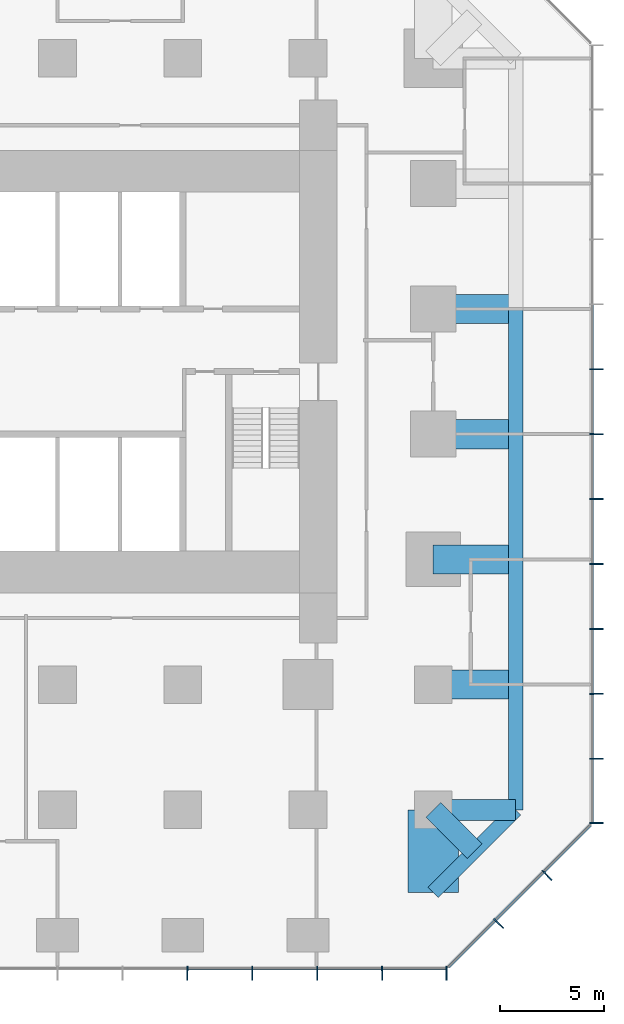
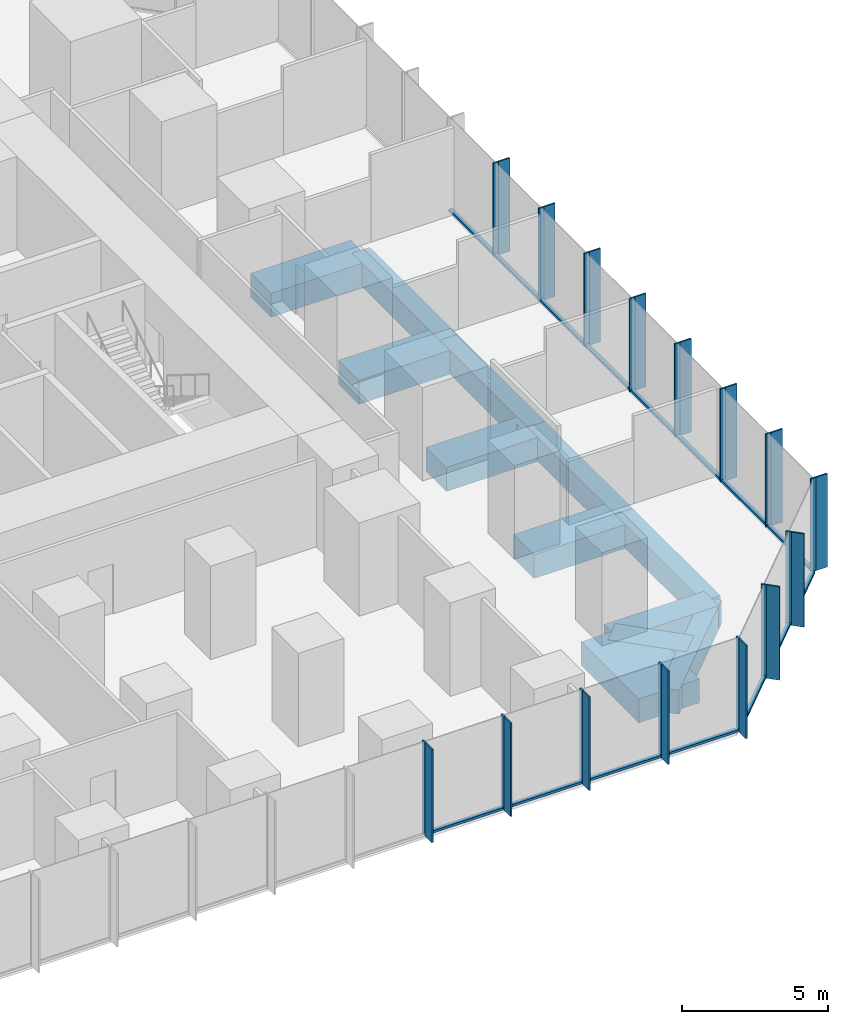
# One storey, part 4 of 12: 45 members, 12 beams, 3 elements without a shape of their own.
"""IFC4 building model written with IfcOpenShell, lengths in metres."""

import ifcopenshell
import ifcopenshell.guid

model = None  # the IFC model being written
_history = None  # IfcOwnerHistory: only IFC2X3 demands one
_inside = {}  # id of a spatial element -> (the spatial element, [elements in it])
_under = {}  # id of a project, library or spatial element -> (it, [spatial elements below it])
_declared = {}  # id of a project -> (the project, [libraries it declares])
_typed = {}  # id of a type object -> (the type object, [elements of that type])
_made_of = {}  # id of a material, layer set ... -> (it, [elements and type objects made of it])


def new_model(schema):
    """Start an empty IFC model of exactly this schema.

    Asked for "IFC4X3", IfcOpenShell would pick the latest addendum, in which some entities
    have other attributes; the version numbers below select the first issue.
    IFC2X3 requires an IfcOwnerHistory on every rooted entity: one is made here for all.
    """
    global model, _history
    if schema == "IFC4X3":
        model = ifcopenshell.file(schema_version=(4, 3, 0, 0))
    else:
        model = ifcopenshell.file(schema=schema)
    _inside.clear()
    _under.clear()
    _declared.clear()
    _typed.clear()
    _made_of.clear()
    _history = None
    if model.schema == "IFC2X3":
        org = make("IfcOrganization", Name="unknown")
        user = make(
            "IfcPersonAndOrganization",
            ThePerson=make("IfcPerson", FamilyName="unknown"),
            TheOrganization=org,
        )
        app = make(
            "IfcApplication",
            ApplicationDeveloper=org,
            Version="unknown",
            ApplicationFullName="unknown",
            ApplicationIdentifier="unknown",
        )
        _history = make(
            "IfcOwnerHistory",
            OwningUser=user,
            OwningApplication=app,
            ChangeAction="ADDED",
            CreationDate=0,
        )
    return model


def make(cls, **values):
    """One entity of the class cls with the attributes given. An attribute that is None is left unset."""
    return model.create_entity(
        cls, **{name: value for name, value in values.items() if value is not None}
    )


def rooted(cls, **values):
    """An entity with a GlobalId (a new one), such as an element, a storey or a relation."""
    return make(cls, GlobalId=ifcopenshell.guid.new(), OwnerHistory=_history, **values)


def si_unit(unit_type, name, prefix=None):
    """IfcSIUnit, for example si_unit("LENGTHUNIT", "METRE", prefix="MILLI")."""
    return make("IfcSIUnit", UnitType=unit_type, Prefix=prefix, Name=name)


def assignment(units):
    """IfcUnitAssignment: the units of a project."""
    return None if units is None else make("IfcUnitAssignment", Units=units)


def point(xyz):
    """IfcCartesianPoint."""
    return None if xyz is None else make("IfcCartesianPoint", Coordinates=xyz)


def direction(xyz):
    """IfcDirection."""
    return None if xyz is None else make("IfcDirection", DirectionRatios=xyz)


def frame(location, z_axis=None, x_axis=None):
    """IfcAxis2Placement3D, a coordinate frame: its origin and axes. An axis left out is left unset."""
    return make(
        "IfcAxis2Placement3D",
        Location=point(location),
        Axis=direction(z_axis),
        RefDirection=direction(x_axis),
    )


def frame_2d(location, x_axis=None):
    """IfcAxis2Placement2D, a coordinate frame in the plane: its origin and x axis."""
    return make(
        "IfcAxis2Placement2D", Location=point(location), RefDirection=direction(x_axis)
    )


def origin():
    """The frame at (0, 0, 0) with its axes left unset."""
    return frame((0.0, 0.0, 0.0))


def origin_2d():
    """The frame at (0, 0) in the plane with its x axis left unset."""
    return frame_2d((0.0, 0.0))


def place(relative_to, where):
    """IfcLocalPlacement: puts the frame where relative to a parent placement (None: the world)."""
    return make(
        "IfcLocalPlacement", PlacementRelTo=relative_to, RelativePlacement=where
    )


def context(
    kind, dimensions, precision=None, world=None, true_north=None, identifier=None
):
    """IfcGeometricRepresentationContext, for example the 3D "Model" context."""
    return make(
        "IfcGeometricRepresentationContext",
        ContextIdentifier=identifier,
        ContextType=kind,
        CoordinateSpaceDimension=dimensions,
        Precision=precision,
        WorldCoordinateSystem=world,
        TrueNorth=true_north,
    )


def subcontext(parent, identifier, kind, view, scale=None):
    """IfcGeometricRepresentationSubContext, for example "Body" below "Model"."""
    return make(
        "IfcGeometricRepresentationSubContext",
        ContextIdentifier=identifier,
        ContextType=kind,
        ParentContext=parent,
        TargetScale=scale,
        TargetView=view,
    )


def project(units=None, contexts=None):
    """IfcProject with its units and contexts."""
    return rooted(
        "IfcProject",
        Name="project",
        RepresentationContexts=contexts,
        UnitsInContext=assignment(units),
    )


def spatial(cls, under=None, at=None, **own):
    """A site, building, storey or space (cls), placed at a placement, below another one or the project."""
    s = rooted(cls, ObjectPlacement=at, **own)
    if under is not None:
        _under.setdefault(under.id(), (under, []))[1].append(s)
    return s


def profile(cls, at=None, kind="AREA", **sizes):
    """A parametric profile (cls). Its sizes go by their IFC names, for example OverallWidth=200.0."""
    return make(cls, ProfileType=kind, Position=at, **sizes)


def rectangle(**sizes):
    """IfcRectangleProfileDef."""
    return profile("IfcRectangleProfileDef", **sizes)


def extrude(swept, where, along, depth):
    """IfcExtrudedAreaSolid: the profile swept, set in the frame where, extruded along a direction by depth."""
    return make(
        "IfcExtrudedAreaSolid",
        SweptArea=swept,
        Position=where,
        ExtrudedDirection=direction(along),
        Depth=depth,
    )


def shape(context_of_items, identifier, shape_type, items):
    """IfcShapeRepresentation: the items that make up one representation, for example the "Body"."""
    return make(
        "IfcShapeRepresentation",
        ContextOfItems=context_of_items,
        RepresentationIdentifier=identifier,
        RepresentationType=shape_type,
        Items=items,
    )


def material(Name=None, Category=None):
    """IfcMaterial."""
    return make("IfcMaterial", Name=Name, Category=Category)


def layer(
    of_material, thickness, ventilated=None, Name=None, Category=None, Priority=None
):
    """IfcMaterialLayer: one layer of a wall or slab, of a material (None: an air gap)."""
    return make(
        "IfcMaterialLayer",
        Material=of_material,
        LayerThickness=thickness,
        IsVentilated=ventilated,
        Name=Name,
        Category=Category,
        Priority=Priority,
    )


def layer_set(layers, Name=None):
    """IfcMaterialLayerSet."""
    return make("IfcMaterialLayerSet", MaterialLayers=layers, LayerSetName=Name)


def material_profile(
    of_material, cross_section, Name=None, Category=None, Priority=None
):
    """IfcMaterialProfile: a cross section and its material."""
    return make(
        "IfcMaterialProfile",
        Name=Name,
        Material=of_material,
        Profile=cross_section,
        Priority=Priority,
        Category=Category,
    )


def profile_set(profiles, Name=None, composite=None):
    """IfcMaterialProfileSet."""
    return make(
        "IfcMaterialProfileSet",
        Name=Name,
        MaterialProfiles=profiles,
        CompositeProfile=composite,
    )


def made_of(thing, what):
    """Note that an element or type object is made of a material, layer set ...; save() writes the relation."""
    if what is not None:
        _made_of.setdefault(what.id(), (what, []))[1].append(thing)
    return thing


def type_object(cls, material=None, **own):
    """A type object (cls), such as IfcWallType, which elements share."""
    return made_of(rooted(cls, **own), material)


def element(
    cls,
    number,
    at=None,
    inside=None,
    cuts=None,
    type_object=None,
    material=None,
    context=None,
    identifier="Body",
    shape_type=None,
    held_by="IfcProductDefinitionShape",
    body=None,
    shapes=None,
    **own,
):
    """One element of the class cls, such as IfcWall. Its Tag is "e" and its number.

    at: its placement. inside: the storey or other place that contains it. cuts: it is an
    opening in that element (IfcRelVoidsElement). A single representation is given by context,
    identifier, shape_type and body (its items); several are given by shapes. held_by: the class
    of the entity that holds the representations. save() writes the other relations.
    """
    e = rooted(cls, Tag="e%d" % number, ObjectPlacement=at, **own)
    if body is not None:
        shapes = [shape(context, identifier, shape_type, body)]
    if shapes is not None:
        e.Representation = make(held_by, Representations=shapes)
    if inside is not None:
        _inside.setdefault(inside.id(), (inside, []))[1].append(e)
    if cuts is not None:
        rooted(
            "IfcRelVoidsElement", RelatingBuildingElement=cuts, RelatedOpeningElement=e
        )
    if type_object is not None:
        _typed.setdefault(type_object.id(), (type_object, []))[1].append(e)
    return made_of(e, material)


def aggregate(whole, parts):
    """IfcRelAggregates: a whole, such as a stair, and the parts it consists of."""
    return rooted("IfcRelAggregates", RelatingObject=whole, RelatedObjects=parts)


def save(model, path):
    """Write the relations noted so far, then the file.

    IfcRelAggregates (storeys below a building ...), IfcRelContainedInSpatialStructure (elements
    in a storey), IfcRelDefinesByType, IfcRelAssociatesMaterial and IfcRelDeclares: one each for
    every whole, place, type object, material and project.
    """
    for whole, parts in _under.values():
        aggregate(whole, parts)
    for where, things in _inside.values():
        rooted(
            "IfcRelContainedInSpatialStructure",
            RelatedElements=things,
            RelatingStructure=where,
        )
    for kind, things in _typed.values():
        rooted("IfcRelDefinesByType", RelatedObjects=things, RelatingType=kind)
    for what, things in _made_of.values():
        rooted("IfcRelAssociatesMaterial", RelatedObjects=things, RelatingMaterial=what)
    for by, libraries in _declared.values():
        rooted("IfcRelDeclares", RelatingContext=by, RelatedDefinitions=libraries)
    model.write(path)


model = new_model("IFC4")

# Units and contexts
model_context = context("Model", 3, precision=1e-05, world=origin(), true_north=direction((0.0, 1.0)))
body_context = subcontext(model_context, "Body", "Model", "MODEL_VIEW")
ifc_project = project(units=[si_unit("LENGTHUNIT", "METRE"), si_unit("AREAUNIT", "SQUARE_METRE"), si_unit("VOLUMEUNIT", "CUBIC_METRE"), si_unit("PLANEANGLEUNIT", "RADIAN"), si_unit("MASSUNIT", "GRAM", prefix="KILO")], contexts=[model_context])

# Site, building, storey
site_placement = place(None, origin())
site = spatial("IfcSite", under=ifc_project, at=site_placement, CompositionType="ELEMENT")
building_placement = place(site_placement, origin())
building = spatial("IfcBuilding", under=site, at=building_placement, Name="Highveld Stack Headquarters", CompositionType="ELEMENT")
storey_placement = place(building_placement, frame((0.0, 0.0, 45.5)))
storey = spatial("IfcBuildingStorey", under=building, at=storey_placement, Name="L10", CompositionType="ELEMENT", Elevation=45.5)

# Beams
ifc_material_1 = material(Name="Concrete C60/75", Category="concrete")
ifc_material_profile_1 = material_profile(ifc_material_1, rectangle(XDim=1.0, YDim=1.0, at=origin_2d()), Name="RC 1000x1000")
ifc_profile_set_1 = profile_set([ifc_material_profile_1], Name="Concrete C60/75")
beam_type_1 = type_object("IfcBeamType", Name="CANTILEVER RIB RC 1000x1000", PredefinedType="USERDEFINED", material=ifc_profile_set_1)
beam_1_placement = place(storey_placement, frame((24.0, -18.0, -0.75), z_axis=(1.0, 0.0, 0.0), x_axis=(0.0, 1.0, 0.0)))
element("IfcBeam", 1, at=beam_1_placement, inside=storey, type_object=beam_type_1, Name="Cantilever rib 10/B L10", ObjectType="CANTILEVER RIB", PredefinedType="USERDEFINED", context=body_context, shape_type="SweptSolid", body=[
    extrude(rectangle(XDim=1.0, YDim=1.0, at=origin_2d()), origin(), (0.0, 0.0, 1.0), 3.949951171875),
])
beam_2_placement = place(storey_placement, frame((24.0, -18.0, -0.75), z_axis=(0.707106781187, -0.707106781187, 0.0), x_axis=(0.707106781187, 0.707106781187, 0.0)))
element("IfcBeam", 2, at=beam_2_placement, inside=storey, type_object=beam_type_1, Name="Cantilever rib 10/B L10", ObjectType="CANTILEVER RIB", PredefinedType="USERDEFINED", context=body_context, shape_type="SweptSolid", body=[
    extrude(rectangle(XDim=1.0, YDim=1.0, at=origin_2d()), origin(), (0.0, 0.0, 1.0), 2.793212890625),
])
ifc_material_2 = material(Name="Concrete C60/75", Category="concrete")
ifc_material_profile_2 = material_profile(ifc_material_2, rectangle(XDim=1.39990234375, YDim=1.0, at=origin_2d()), Name="RC 1400x1000")
ifc_profile_set_2 = profile_set([ifc_material_profile_2], Name="Concrete C60/75")
beam_type_2 = type_object("IfcBeamType", Name="CANTILEVER RIB RC 1400x1000", PredefinedType="USERDEFINED", material=ifc_profile_set_2)
for number, where, z_axis, x_axis, name in (
    (3, (24.0, -12.0, -0.75), (1.0, 0.0, 0.0), (0.0, 1.0, 0.0), "Cantilever rib 10/C L10"),
    (4, (24.0, -6.0, -0.75), (1.0, 0.0, 0.0), (0.0, 1.0, 0.0), "Cantilever rib 10/D L10"),
    (5, (24.0, 0.0, -0.75), (1.0, 0.0, 0.0), (0.0, 1.0, 0.0), "Cantilever rib 10/E L10"),
    (6, (24.0, 6.0, -0.75), (1.0, 0.0, 0.0), (0.0, 1.0, 0.0), "Cantilever rib 10/F L10"),
):
    element("IfcBeam", number, at=place(storey_placement, frame(where, z_axis=z_axis, x_axis=x_axis)), inside=storey, type_object=beam_type_2, Name=name, ObjectType="CANTILEVER RIB", PredefinedType="USERDEFINED", context=body_context, shape_type="SweptSolid", body=[
        extrude(rectangle(XDim=1.39990234375, YDim=1.0, at=origin_2d()), origin(), (0.0, 0.0, 1.0), 3.949951171875),
    ])
ifc_material_3 = material(Name="Concrete C60/75", Category="concrete")
ifc_material_profile_3 = material_profile(ifc_material_3, rectangle(XDim=2.39990234375, YDim=1.0, at=origin_2d()), Name="RC 2400x1000")
ifc_profile_set_3 = profile_set([ifc_material_profile_3], Name="Concrete C60/75")
beam_type_3 = type_object("IfcBeamType", Name="CANTILEVER RIB RC 2400x1000", PredefinedType="USERDEFINED", material=ifc_profile_set_3)
beam_3_placement = place(storey_placement, frame((24.0, -18.0, -0.75), z_axis=(0.0, -1.0, 0.0), x_axis=(1.0, 0.0, 0.0)))
element("IfcBeam", 7, at=beam_3_placement, inside=storey, type_object=beam_type_3, Name="Cantilever rib 10/B L10", ObjectType="CANTILEVER RIB", PredefinedType="USERDEFINED", context=body_context, shape_type="SweptSolid", body=[
    extrude(rectangle(XDim=2.39990234375, YDim=1.0, at=origin_2d()), origin(), (0.0, 0.0, 1.0), 3.949951171875),
])

# Curtain wall, members
ifc_material_4 = material(Name="Aluminium bronze anodised", Category="aluminium")
ifc_layer_1 = layer(ifc_material_4, 0.199951171875)
ifc_layer_set_1 = layer_set([ifc_layer_1], Name="Aluminium bronze anodised")
curtain_wall_type_1 = type_object("IfcCurtainWallType", Name="CW1 TOWER UNITISED CURTAIN WALL", PredefinedType="NOTDEFINED", material=ifc_layer_set_1)
curtain_wall_1_placement = place(storey_placement, origin())
curtain_wall_1 = element("IfcCurtainWall", 8, at=curtain_wall_1_placement, inside=storey, type_object=curtain_wall_type_1, Name="Curtain wall CW1 L10 S", PredefinedType="NOTDEFINED")
ifc_material_5 = material(Name="Aluminium bronze anodised", Category="aluminium")
ifc_material_profile_4 = material_profile(ifc_material_5, rectangle(XDim=0.449951171875, YDim=0.06005859375, at=origin_2d()), Name="FIN 450x60")
ifc_profile_set_4 = profile_set([ifc_material_profile_4], Name="Aluminium bronze anodised")
member_type_1 = type_object("IfcMemberType", Name="CW1 BRONZE FIN 450x60", PredefinedType="USERDEFINED", material=ifc_profile_set_4)
member_1_placement = place(storey_placement, frame((12.220947265625, -25.925048828125, 0.0), z_axis=(0.0, 0.0, 1.0), x_axis=(0.0, 1.0, 0.0)))
member_1 = element("IfcMember", 9, at=member_1_placement, type_object=member_type_1, Name="CW1 fin L10 9", ObjectType="FIN", PredefinedType="USERDEFINED", context=body_context, shape_type="SweptSolid", body=[
    extrude(rectangle(XDim=0.449951171875, YDim=0.06005859375, at=origin_2d()), origin(), (0.0, 0.0, 1.0), 3.89990234375),
])
member_2_placement = place(storey_placement, frame((15.331298828125, -25.925048828125, 0.0), z_axis=(0.0, 0.0, 1.0), x_axis=(0.0, 1.0, 0.0)))
member_2 = element("IfcMember", 10, at=member_2_placement, type_object=member_type_1, Name="CW1 fin L10 10", ObjectType="FIN", PredefinedType="USERDEFINED", context=body_context, shape_type="SweptSolid", body=[
    extrude(rectangle(XDim=0.449951171875, YDim=0.06005859375, at=origin_2d()), origin(), (0.0, 0.0, 1.0), 3.89990234375),
])
member_3_placement = place(storey_placement, frame((18.44189453125, -25.925048828125, 0.0), z_axis=(0.0, 0.0, 1.0), x_axis=(0.0, 1.0, 0.0)))
member_3 = element("IfcMember", 11, at=member_3_placement, type_object=member_type_1, Name="CW1 fin L10 11", ObjectType="FIN", PredefinedType="USERDEFINED", context=body_context, shape_type="SweptSolid", body=[
    extrude(rectangle(XDim=0.449951171875, YDim=0.06005859375, at=origin_2d()), origin(), (0.0, 0.0, 1.0), 3.89990234375),
])
member_4_placement = place(storey_placement, frame((21.55224609375, -25.925048828125, 0.0), z_axis=(0.0, 0.0, 1.0), x_axis=(0.0, 1.0, 0.0)))
member_4 = element("IfcMember", 12, at=member_4_placement, type_object=member_type_1, Name="CW1 fin L10 12", ObjectType="FIN", PredefinedType="USERDEFINED", context=body_context, shape_type="SweptSolid", body=[
    extrude(rectangle(XDim=0.449951171875, YDim=0.06005859375, at=origin_2d()), origin(), (0.0, 0.0, 1.0), 3.89990234375),
])
member_5_placement = place(storey_placement, frame((24.630126953125, -25.925048828125, 0.0), z_axis=(0.0, 0.0, 1.0), x_axis=(0.0, 1.0, 0.0)))
member_5 = element("IfcMember", 13, at=member_5_placement, type_object=member_type_1, Name="CW1 fin L10 13", ObjectType="FIN", PredefinedType="USERDEFINED", context=body_context, shape_type="SweptSolid", body=[
    extrude(rectangle(XDim=0.449951171875, YDim=0.06005859375, at=origin_2d()), origin(), (0.0, 0.0, 1.0), 3.89990234375),
])

curtain_wall_2_placement = place(storey_placement, origin())
curtain_wall_2 = element("IfcCurtainWall", 14, at=curtain_wall_2_placement, inside=storey, type_object=curtain_wall_type_1, Name="Curtain wall CW1 L10 E", PredefinedType="NOTDEFINED")
member_6_placement = place(storey_placement, frame((31.925048828125, -18.630126953125, 0.0), z_axis=(0.0, 0.0, 1.0), x_axis=(-1.0, 0.0, 0.0)))
member_6 = element("IfcMember", 15, at=member_6_placement, type_object=member_type_1, Name="CW1 fin L10 1", ObjectType="FIN", PredefinedType="USERDEFINED", context=body_context, shape_type="SweptSolid", body=[
    extrude(rectangle(XDim=0.449951171875, YDim=0.06005859375, at=origin_2d()), origin(), (0.0, 0.0, 1.0), 3.89990234375),
])
member_7_placement = place(storey_placement, frame((31.925048828125, -15.55224609375, 0.0), z_axis=(0.0, 0.0, 1.0), x_axis=(-1.0, 0.0, 0.0)))
member_7 = element("IfcMember", 16, at=member_7_placement, type_object=member_type_1, Name="CW1 fin L10 2", ObjectType="FIN", PredefinedType="USERDEFINED", context=body_context, shape_type="SweptSolid", body=[
    extrude(rectangle(XDim=0.449951171875, YDim=0.06005859375, at=origin_2d()), origin(), (0.0, 0.0, 1.0), 3.89990234375),
])
member_8_placement = place(storey_placement, frame((31.925048828125, -12.44189453125, 0.0), z_axis=(0.0, 0.0, 1.0), x_axis=(-1.0, 0.0, 0.0)))
member_8 = element("IfcMember", 17, at=member_8_placement, type_object=member_type_1, Name="CW1 fin L10 3", ObjectType="FIN", PredefinedType="USERDEFINED", context=body_context, shape_type="SweptSolid", body=[
    extrude(rectangle(XDim=0.449951171875, YDim=0.06005859375, at=origin_2d()), origin(), (0.0, 0.0, 1.0), 3.89990234375),
])
member_9_placement = place(storey_placement, frame((31.925048828125, -9.331298828125, 0.0), z_axis=(0.0, 0.0, 1.0), x_axis=(-1.0, 0.0, 0.0)))
member_9 = element("IfcMember", 18, at=member_9_placement, type_object=member_type_1, Name="CW1 fin L10 4", ObjectType="FIN", PredefinedType="USERDEFINED", context=body_context, shape_type="SweptSolid", body=[
    extrude(rectangle(XDim=0.449951171875, YDim=0.06005859375, at=origin_2d()), origin(), (0.0, 0.0, 1.0), 3.89990234375),
])
member_10_placement = place(storey_placement, frame((31.925048828125, -6.220947265625, 0.0), z_axis=(0.0, 0.0, 1.0), x_axis=(-1.0, 0.0, 0.0)))
member_10 = element("IfcMember", 19, at=member_10_placement, type_object=member_type_1, Name="CW1 fin L10 5", ObjectType="FIN", PredefinedType="USERDEFINED", context=body_context, shape_type="SweptSolid", body=[
    extrude(rectangle(XDim=0.449951171875, YDim=0.06005859375, at=origin_2d()), origin(), (0.0, 0.0, 1.0), 3.89990234375),
])
member_11_placement = place(storey_placement, frame((31.925048828125, -3.110595703125, 0.0), z_axis=(0.0, 0.0, 1.0), x_axis=(-1.0, 0.0, 0.0)))
member_11 = element("IfcMember", 20, at=member_11_placement, type_object=member_type_1, Name="CW1 fin L10 6", ObjectType="FIN", PredefinedType="USERDEFINED", context=body_context, shape_type="SweptSolid", body=[
    extrude(rectangle(XDim=0.449951171875, YDim=0.06005859375, at=origin_2d()), origin(), (0.0, 0.0, 1.0), 3.89990234375),
])
member_12_placement = place(storey_placement, frame((31.925048828125, 0.0, 0.0), z_axis=(0.0, 0.0, 1.0), x_axis=(-1.0, 0.0, 0.0)))
member_12 = element("IfcMember", 21, at=member_12_placement, type_object=member_type_1, Name="CW1 fin L10 7", ObjectType="FIN", PredefinedType="USERDEFINED", context=body_context, shape_type="SweptSolid", body=[
    extrude(rectangle(XDim=0.449951171875, YDim=0.06005859375, at=origin_2d()), origin(), (0.0, 0.0, 1.0), 3.89990234375),
])
member_13_placement = place(storey_placement, frame((31.925048828125, 3.110595703125, 0.0), z_axis=(0.0, 0.0, 1.0), x_axis=(-1.0, 0.0, 0.0)))
member_13 = element("IfcMember", 22, at=member_13_placement, type_object=member_type_1, Name="CW1 fin L10 8", ObjectType="FIN", PredefinedType="USERDEFINED", context=body_context, shape_type="SweptSolid", body=[
    extrude(rectangle(XDim=0.449951171875, YDim=0.06005859375, at=origin_2d()), origin(), (0.0, 0.0, 1.0), 3.89990234375),
])

# Member
ifc_material_6 = material(Name="Aluminium bronze anodised", Category="aluminium")
ifc_material_profile_5 = material_profile(ifc_material_6, rectangle(XDim=0.199951171875, YDim=0.06494140625, at=origin_2d()), Name="CW1 MULLION 65x200")
ifc_profile_set_5 = profile_set([ifc_material_profile_5], Name="Aluminium bronze anodised")
member_type_2 = type_object("IfcMemberType", Name="CW1 MULLION 65x200", PredefinedType="MULLION", material=ifc_profile_set_5)
member_14_placement = place(storey_placement, frame((12.220947265625, -25.60009765625, 0.0), z_axis=(0.0, 0.0, 1.0), x_axis=(0.0, 1.0, 0.0)))
member_14 = element("IfcMember", 23, at=member_14_placement, type_object=member_type_2, Name="CW1 mullion L10 9", PredefinedType="MULLION", context=body_context, shape_type="SweptSolid", body=[
    extrude(rectangle(XDim=0.199951171875, YDim=0.06494140625, at=origin_2d()), origin(), (0.0, 0.0, 1.0), 3.89990234375),
])

member_15_placement = place(storey_placement, frame((15.331298828125, -25.60009765625, 0.0), z_axis=(0.0, 0.0, 1.0), x_axis=(0.0, 1.0, 0.0)))
member_15 = element("IfcMember", 24, at=member_15_placement, type_object=member_type_2, Name="CW1 mullion L10 10", PredefinedType="MULLION", context=body_context, shape_type="SweptSolid", body=[
    extrude(rectangle(XDim=0.199951171875, YDim=0.06494140625, at=origin_2d()), origin(), (0.0, 0.0, 1.0), 3.89990234375),
])

member_16_placement = place(storey_placement, frame((18.44189453125, -25.60009765625, 0.0), z_axis=(0.0, 0.0, 1.0), x_axis=(0.0, 1.0, 0.0)))
member_16 = element("IfcMember", 25, at=member_16_placement, type_object=member_type_2, Name="CW1 mullion L10 11", PredefinedType="MULLION", context=body_context, shape_type="SweptSolid", body=[
    extrude(rectangle(XDim=0.199951171875, YDim=0.06494140625, at=origin_2d()), origin(), (0.0, 0.0, 1.0), 3.89990234375),
])

member_17_placement = place(storey_placement, frame((21.55224609375, -25.60009765625, 0.0), z_axis=(0.0, 0.0, 1.0), x_axis=(0.0, 1.0, 0.0)))
member_17 = element("IfcMember", 26, at=member_17_placement, type_object=member_type_2, Name="CW1 mullion L10 12", PredefinedType="MULLION", context=body_context, shape_type="SweptSolid", body=[
    extrude(rectangle(XDim=0.199951171875, YDim=0.06494140625, at=origin_2d()), origin(), (0.0, 0.0, 1.0), 3.89990234375),
])

member_18_placement = place(storey_placement, frame((24.630126953125, -25.60009765625, 0.0), z_axis=(0.0, 0.0, 1.0), x_axis=(0.0, 1.0, 0.0)))
member_18 = element("IfcMember", 27, at=member_18_placement, type_object=member_type_2, Name="CW1 mullion L10 13", PredefinedType="MULLION", context=body_context, shape_type="SweptSolid", body=[
    extrude(rectangle(XDim=0.199951171875, YDim=0.06494140625, at=origin_2d()), origin(), (0.0, 0.0, 1.0), 3.89990234375),
])

member_19_placement = place(storey_placement, frame((31.60009765625, -18.630126953125, 0.0), z_axis=(0.0, 0.0, 1.0), x_axis=(-1.0, 0.0, 0.0)))
member_19 = element("IfcMember", 28, at=member_19_placement, type_object=member_type_2, Name="CW1 mullion L10 1", PredefinedType="MULLION", context=body_context, shape_type="SweptSolid", body=[
    extrude(rectangle(XDim=0.199951171875, YDim=0.06494140625, at=origin_2d()), origin(), (0.0, 0.0, 1.0), 3.89990234375),
])

member_20_placement = place(storey_placement, frame((31.60009765625, -15.55224609375, 0.0), z_axis=(0.0, 0.0, 1.0), x_axis=(-1.0, 0.0, 0.0)))
member_20 = element("IfcMember", 29, at=member_20_placement, type_object=member_type_2, Name="CW1 mullion L10 2", PredefinedType="MULLION", context=body_context, shape_type="SweptSolid", body=[
    extrude(rectangle(XDim=0.199951171875, YDim=0.06494140625, at=origin_2d()), origin(), (0.0, 0.0, 1.0), 3.89990234375),
])

member_21_placement = place(storey_placement, frame((31.60009765625, -12.44189453125, 0.0), z_axis=(0.0, 0.0, 1.0), x_axis=(-1.0, 0.0, 0.0)))
member_21 = element("IfcMember", 30, at=member_21_placement, type_object=member_type_2, Name="CW1 mullion L10 3", PredefinedType="MULLION", context=body_context, shape_type="SweptSolid", body=[
    extrude(rectangle(XDim=0.199951171875, YDim=0.06494140625, at=origin_2d()), origin(), (0.0, 0.0, 1.0), 3.89990234375),
])

member_22_placement = place(storey_placement, frame((31.60009765625, -9.331298828125, 0.0), z_axis=(0.0, 0.0, 1.0), x_axis=(-1.0, 0.0, 0.0)))
member_22 = element("IfcMember", 31, at=member_22_placement, type_object=member_type_2, Name="CW1 mullion L10 4", PredefinedType="MULLION", context=body_context, shape_type="SweptSolid", body=[
    extrude(rectangle(XDim=0.199951171875, YDim=0.06494140625, at=origin_2d()), origin(), (0.0, 0.0, 1.0), 3.89990234375),
])

member_23_placement = place(storey_placement, frame((31.60009765625, -6.220947265625, 0.0), z_axis=(0.0, 0.0, 1.0), x_axis=(-1.0, 0.0, 0.0)))
member_23 = element("IfcMember", 32, at=member_23_placement, type_object=member_type_2, Name="CW1 mullion L10 5", PredefinedType="MULLION", context=body_context, shape_type="SweptSolid", body=[
    extrude(rectangle(XDim=0.199951171875, YDim=0.06494140625, at=origin_2d()), origin(), (0.0, 0.0, 1.0), 3.89990234375),
])

member_24_placement = place(storey_placement, frame((31.60009765625, -3.110595703125, 0.0), z_axis=(0.0, 0.0, 1.0), x_axis=(-1.0, 0.0, 0.0)))
member_24 = element("IfcMember", 33, at=member_24_placement, type_object=member_type_2, Name="CW1 mullion L10 6", PredefinedType="MULLION", context=body_context, shape_type="SweptSolid", body=[
    extrude(rectangle(XDim=0.199951171875, YDim=0.06494140625, at=origin_2d()), origin(), (0.0, 0.0, 1.0), 3.89990234375),
])

member_25_placement = place(storey_placement, frame((31.60009765625, 0.0, 0.0), z_axis=(0.0, 0.0, 1.0), x_axis=(-1.0, 0.0, 0.0)))
member_25 = element("IfcMember", 34, at=member_25_placement, type_object=member_type_2, Name="CW1 mullion L10 7", PredefinedType="MULLION", context=body_context, shape_type="SweptSolid", body=[
    extrude(rectangle(XDim=0.199951171875, YDim=0.06494140625, at=origin_2d()), origin(), (0.0, 0.0, 1.0), 3.89990234375),
])

member_26_placement = place(storey_placement, frame((31.60009765625, 3.110595703125, 0.0), z_axis=(0.0, 0.0, 1.0), x_axis=(-1.0, 0.0, 0.0)))
member_26 = element("IfcMember", 35, at=member_26_placement, type_object=member_type_2, Name="CW1 mullion L10 8", PredefinedType="MULLION", context=body_context, shape_type="SweptSolid", body=[
    extrude(rectangle(XDim=0.199951171875, YDim=0.06494140625, at=origin_2d()), origin(), (0.0, 0.0, 1.0), 3.89990234375),
])

ifc_material_7 = material(Name="Aluminium bronze anodised", Category="aluminium")
ifc_material_profile_6 = material_profile(ifc_material_7, rectangle(XDim=0.14990234375, YDim=0.10009765625, at=origin_2d()), Name="CW1 TRANSOM 150x100")
ifc_profile_set_6 = profile_set([ifc_material_profile_6], Name="Aluminium bronze anodised")
member_type_3 = type_object("IfcMemberType", Name="CW1 STACK TRANSOM 150x100", PredefinedType="USERDEFINED", material=ifc_profile_set_6)
member_27_placement = place(storey_placement, frame((12.25341796875, -25.60009765625, 0.050048828125), z_axis=(1.0, 0.0, 0.0), x_axis=(0.0, 1.0, 0.0)))
member_27 = element("IfcMember", 36, at=member_27_placement, type_object=member_type_3, Name="CW1 transom L10 9.1", ObjectType="TRANSOM", PredefinedType="USERDEFINED", context=body_context, shape_type="SweptSolid", body=[
    extrude(rectangle(XDim=0.14990234375, YDim=0.10009765625, at=origin_2d()), origin(), (0.0, 0.0, 1.0), 3.04541015625),
])

member_28_placement = place(storey_placement, frame((15.364013671875, -25.60009765625, 0.050048828125), z_axis=(1.0, 0.0, 0.0), x_axis=(0.0, 1.0, 0.0)))
member_28 = element("IfcMember", 37, at=member_28_placement, type_object=member_type_3, Name="CW1 transom L10 10.1", ObjectType="TRANSOM", PredefinedType="USERDEFINED", context=body_context, shape_type="SweptSolid", body=[
    extrude(rectangle(XDim=0.14990234375, YDim=0.10009765625, at=origin_2d()), origin(), (0.0, 0.0, 1.0), 3.045166015625),
])

member_29_placement = place(storey_placement, frame((18.474365234375, -25.60009765625, 0.050048828125), z_axis=(1.0, 0.0, 0.0), x_axis=(0.0, 1.0, 0.0)))
member_29 = element("IfcMember", 38, at=member_29_placement, type_object=member_type_3, Name="CW1 transom L10 11.1", ObjectType="TRANSOM", PredefinedType="USERDEFINED", context=body_context, shape_type="SweptSolid", body=[
    extrude(rectangle(XDim=0.14990234375, YDim=0.10009765625, at=origin_2d()), origin(), (0.0, 0.0, 1.0), 3.04541015625),
])

member_30_placement = place(storey_placement, frame((21.584716796875, -25.60009765625, 0.050048828125), z_axis=(1.0, 0.0, 0.0), x_axis=(0.0, 1.0, 0.0)))
member_30 = element("IfcMember", 39, at=member_30_placement, type_object=member_type_3, Name="CW1 transom L10 12.1", ObjectType="TRANSOM", PredefinedType="USERDEFINED", context=body_context, shape_type="SweptSolid", body=[
    extrude(rectangle(XDim=0.14990234375, YDim=0.10009765625, at=origin_2d()), origin(), (0.0, 0.0, 1.0), 3.012939453125),
])

aggregate(curtain_wall_1, [member_14, member_1, member_15, member_2, member_16, member_3, member_17, member_4, member_18, member_5, member_27, member_28, member_29, member_30])

member_31_placement = place(storey_placement, frame((31.60009765625, -18.59765625, 0.050048828125), z_axis=(0.0, 1.0, 0.0), x_axis=(-1.0, 0.0, 0.0)))
member_31 = element("IfcMember", 40, at=member_31_placement, type_object=member_type_3, Name="CW1 transom L10 1.1", ObjectType="TRANSOM", PredefinedType="USERDEFINED", context=body_context, shape_type="SweptSolid", body=[
    extrude(rectangle(XDim=0.14990234375, YDim=0.10009765625, at=origin_2d()), origin(), (0.0, 0.0, 1.0), 3.012939453125),
])

member_32_placement = place(storey_placement, frame((31.60009765625, -15.519775390625, 0.050048828125), z_axis=(0.0, 1.0, 0.0), x_axis=(-1.0, 0.0, 0.0)))
member_32 = element("IfcMember", 41, at=member_32_placement, type_object=member_type_3, Name="CW1 transom L10 2.1", ObjectType="TRANSOM", PredefinedType="USERDEFINED", context=body_context, shape_type="SweptSolid", body=[
    extrude(rectangle(XDim=0.14990234375, YDim=0.10009765625, at=origin_2d()), origin(), (0.0, 0.0, 1.0), 3.04541015625),
])

member_33_placement = place(storey_placement, frame((31.60009765625, -12.4091796875, 0.050048828125), z_axis=(0.0, 1.0, 0.0), x_axis=(-1.0, 0.0, 0.0)))
member_33 = element("IfcMember", 42, at=member_33_placement, type_object=member_type_3, Name="CW1 transom L10 3.1", ObjectType="TRANSOM", PredefinedType="USERDEFINED", context=body_context, shape_type="SweptSolid", body=[
    extrude(rectangle(XDim=0.14990234375, YDim=0.10009765625, at=origin_2d()), origin(), (0.0, 0.0, 1.0), 3.045166015625),
])

member_34_placement = place(storey_placement, frame((31.60009765625, -9.298828125, 0.050048828125), z_axis=(0.0, 1.0, 0.0), x_axis=(-1.0, 0.0, 0.0)))
member_34 = element("IfcMember", 43, at=member_34_placement, type_object=member_type_3, Name="CW1 transom L10 4.1", ObjectType="TRANSOM", PredefinedType="USERDEFINED", context=body_context, shape_type="SweptSolid", body=[
    extrude(rectangle(XDim=0.14990234375, YDim=0.10009765625, at=origin_2d()), origin(), (0.0, 0.0, 1.0), 3.04541015625),
])

member_35_placement = place(storey_placement, frame((31.60009765625, -6.1884765625, 0.050048828125), z_axis=(0.0, 1.0, 0.0), x_axis=(-1.0, 0.0, 0.0)))
member_35 = element("IfcMember", 44, at=member_35_placement, type_object=member_type_3, Name="CW1 transom L10 5.1", ObjectType="TRANSOM", PredefinedType="USERDEFINED", context=body_context, shape_type="SweptSolid", body=[
    extrude(rectangle(XDim=0.14990234375, YDim=0.10009765625, at=origin_2d()), origin(), (0.0, 0.0, 1.0), 3.04541015625),
])

member_36_placement = place(storey_placement, frame((31.60009765625, -3.077880859375, 0.050048828125), z_axis=(0.0, 1.0, 0.0), x_axis=(-1.0, 0.0, 0.0)))
member_36 = element("IfcMember", 45, at=member_36_placement, type_object=member_type_3, Name="CW1 transom L10 6.1", ObjectType="TRANSOM", PredefinedType="USERDEFINED", context=body_context, shape_type="SweptSolid", body=[
    extrude(rectangle(XDim=0.14990234375, YDim=0.10009765625, at=origin_2d()), origin(), (0.0, 0.0, 1.0), 3.04541015625),
])

member_37_placement = place(storey_placement, frame((31.60009765625, 0.032470703125, 0.050048828125), z_axis=(0.0, 1.0, 0.0), x_axis=(-1.0, 0.0, 0.0)))
member_37 = element("IfcMember", 46, at=member_37_placement, type_object=member_type_3, Name="CW1 transom L10 7.1", ObjectType="TRANSOM", PredefinedType="USERDEFINED", context=body_context, shape_type="SweptSolid", body=[
    extrude(rectangle(XDim=0.14990234375, YDim=0.10009765625, at=origin_2d()), origin(), (0.0, 0.0, 1.0), 3.04541015625),
])

member_38_placement = place(storey_placement, frame((31.60009765625, 3.142822265625, 0.050048828125), z_axis=(0.0, 1.0, 0.0), x_axis=(-1.0, 0.0, 0.0)))
member_38 = element("IfcMember", 47, at=member_38_placement, type_object=member_type_3, Name="CW1 transom L10 8.1", ObjectType="TRANSOM", PredefinedType="USERDEFINED", context=body_context, shape_type="SweptSolid", body=[
    extrude(rectangle(XDim=0.14990234375, YDim=0.10009765625, at=origin_2d()), origin(), (0.0, 0.0, 1.0), 3.045654296875),
])

aggregate(curtain_wall_2, [member_19, member_6, member_20, member_7, member_21, member_8, member_22, member_9, member_23, member_10, member_24, member_11, member_25, member_12, member_26, member_13, member_31, member_32, member_33, member_34, member_35, member_36, member_37, member_38])

# Curtain wall, members
ifc_material_8 = material(Name="Aluminium bronze anodised", Category="aluminium")
ifc_layer_2 = layer(ifc_material_8, 0.199951171875)
ifc_layer_set_2 = layer_set([ifc_layer_2], Name="Aluminium bronze anodised")
curtain_wall_type_2 = type_object("IfcCurtainWallType", Name="CW2 TOWER CHAMFER UNITISED CURTAIN WALL", PredefinedType="NOTDEFINED", material=ifc_layer_set_2)
curtain_wall_3_placement = place(storey_placement, origin())
curtain_wall_3 = element("IfcCurtainWall", 48, at=curtain_wall_3_placement, inside=storey, type_object=curtain_wall_type_2, Name="Curtain wall CW2 L10 SE", PredefinedType="NOTDEFINED")
ifc_material_9 = material(Name="Aluminium bronze anodised", Category="aluminium")
ifc_material_profile_7 = material_profile(ifc_material_9, rectangle(XDim=0.449951171875, YDim=0.06005859375, at=origin_2d()), Name="FIN 450x60")
ifc_profile_set_7 = profile_set([ifc_material_profile_7], Name="Aluminium bronze anodised")
member_type_4 = type_object("IfcMemberType", Name="CW2 BRONZE FIN 450x60", PredefinedType="USERDEFINED", material=ifc_profile_set_7)
member_39_placement = place(storey_placement, frame((27.204833984375, -23.517333984375, 0.0), z_axis=(0.0, 0.0, 1.0), x_axis=(-0.707106781187, 0.707106781187, 0.0)))
member_39 = element("IfcMember", 49, at=member_39_placement, type_object=member_type_4, Name="CW2 fin L10 1", ObjectType="FIN", PredefinedType="USERDEFINED", context=body_context, shape_type="SweptSolid", body=[
    extrude(rectangle(XDim=0.449951171875, YDim=0.06005859375, at=origin_2d()), origin(), (0.0, 0.0, 1.0), 3.89990234375),
])
member_40_placement = place(storey_placement, frame((29.517333984375, -21.204833984375, 0.0), z_axis=(0.0, 0.0, 1.0), x_axis=(-0.707106781187, 0.707106781187, 0.0)))
member_40 = element("IfcMember", 50, at=member_40_placement, type_object=member_type_4, Name="CW2 fin L10 2", ObjectType="FIN", PredefinedType="USERDEFINED", context=body_context, shape_type="SweptSolid", body=[
    extrude(rectangle(XDim=0.449951171875, YDim=0.06005859375, at=origin_2d()), origin(), (0.0, 0.0, 1.0), 3.89990234375),
])
ifc_material_10 = material(Name="Aluminium bronze anodised", Category="aluminium")
ifc_material_profile_8 = material_profile(ifc_material_10, rectangle(XDim=0.199951171875, YDim=0.06494140625, at=origin_2d()), Name="CW2 MULLION 65x200")
ifc_profile_set_8 = profile_set([ifc_material_profile_8], Name="Aluminium bronze anodised")
member_type_5 = type_object("IfcMemberType", Name="CW2 MULLION 65x200", PredefinedType="MULLION", material=ifc_profile_set_8)
member_41_placement = place(storey_placement, frame((26.97509765625, -23.28759765625, 0.0), z_axis=(0.0, 0.0, 1.0), x_axis=(-0.707106781187, 0.707106781187, 0.0)))
member_41 = element("IfcMember", 51, at=member_41_placement, type_object=member_type_5, Name="CW2 mullion L10 1", PredefinedType="MULLION", context=body_context, shape_type="SweptSolid", body=[
    extrude(rectangle(XDim=0.199951171875, YDim=0.06494140625, at=origin_2d()), origin(), (0.0, 0.0, 1.0), 3.89990234375),
])
member_42_placement = place(storey_placement, frame((29.28759765625, -20.97509765625, 0.0), z_axis=(0.0, 0.0, 1.0), x_axis=(-0.707106781187, 0.707106781187, 0.0)))
member_42 = element("IfcMember", 52, at=member_42_placement, type_object=member_type_5, Name="CW2 mullion L10 2", PredefinedType="MULLION", context=body_context, shape_type="SweptSolid", body=[
    extrude(rectangle(XDim=0.199951171875, YDim=0.06494140625, at=origin_2d()), origin(), (0.0, 0.0, 1.0), 3.89990234375),
])
ifc_material_11 = material(Name="Aluminium bronze anodised", Category="aluminium")
ifc_material_profile_9 = material_profile(ifc_material_11, rectangle(XDim=0.14990234375, YDim=0.10009765625, at=origin_2d()), Name="CW2 TRANSOM 150x100")
ifc_profile_set_9 = profile_set([ifc_material_profile_9], Name="Aluminium bronze anodised")
member_type_6 = type_object("IfcMemberType", Name="CW2 STACK TRANSOM 150x100", PredefinedType="USERDEFINED", material=ifc_profile_set_9)
member_43_placement = place(storey_placement, frame((24.7333984375, -25.529296875, 0.050048828125), z_axis=(0.707106781187, 0.707106781187, 0.0), x_axis=(-0.707106781187, 0.707106781187, 0.0)))
member_43 = element("IfcMember", 53, at=member_43_placement, type_object=member_type_6, Name="CW2 transom L10 1.1", ObjectType="TRANSOM", PredefinedType="USERDEFINED", context=body_context, shape_type="SweptSolid", body=[
    extrude(rectangle(XDim=0.14990234375, YDim=0.10009765625, at=origin_2d()), origin(), (0.0, 0.0, 1.0), 3.1376953125),
])
member_44_placement = place(storey_placement, frame((26.998046875, -23.2646484375, 0.050048828125), z_axis=(0.707106781187, 0.707106781187, 0.0), x_axis=(-0.707106781187, 0.707106781187, 0.0)))
member_44 = element("IfcMember", 54, at=member_44_placement, type_object=member_type_6, Name="CW2 transom L10 2.1", ObjectType="TRANSOM", PredefinedType="USERDEFINED", context=body_context, shape_type="SweptSolid", body=[
    extrude(rectangle(XDim=0.14990234375, YDim=0.10009765625, at=origin_2d()), origin(), (0.0, 0.0, 1.0), 3.20556640625),
])
member_45_placement = place(storey_placement, frame((29.310546875, -20.9521484375, 0.050048828125), z_axis=(0.707106781187, 0.707106781187, 0.0), x_axis=(-0.707106781187, 0.707106781187, 0.0)))
member_45 = element("IfcMember", 55, at=member_45_placement, type_object=member_type_6, Name="CW2 transom L10 3.1", ObjectType="TRANSOM", PredefinedType="USERDEFINED", context=body_context, shape_type="SweptSolid", body=[
    extrude(rectangle(XDim=0.14990234375, YDim=0.10009765625, at=origin_2d()), origin(), (0.0, 0.0, 1.0), 3.1376953125),
])
aggregate(curtain_wall_3, [member_41, member_39, member_42, member_40, member_43, member_44, member_45])

# Beams
ifc_material_12 = material(Name="Concrete C60/75", Category="concrete")
ifc_material_profile_10 = material_profile(ifc_material_12, rectangle(XDim=0.699951171875, YDim=1.0, at=origin_2d()), Name="RC 700x1000")
ifc_profile_set_10 = profile_set([ifc_material_profile_10], Name="Concrete C60/75")
beam_type_4 = type_object("IfcBeamType", Name="RIB TIP BEAM RC 700x1000", PredefinedType="SPANDREL", material=ifc_profile_set_10)
for number, where, z_axis, x_axis, name in (
    (56, (27.949951171875, -18.0, -0.75), (0.0, 1.0, 0.0), (-1.0, 0.0, 0.0), "Rib tip beam 10/B to 10/C L10"),
    (57, (27.949951171875, -12.0, -0.75), (0.0, 1.0, 0.0), (-1.0, 0.0, 0.0), "Rib tip beam 10/C to 10/D L10"),
    (58, (27.949951171875, -6.0, -0.75), (0.0, 1.0, 0.0), (-1.0, 0.0, 0.0), "Rib tip beam 10/D to 10/E L10"),
    (59, (27.949951171875, 0.0, -0.75), (0.0, 1.0, 0.0), (-1.0, 0.0, 0.0), "Rib tip beam 10/E to 10/F L10"),
):
    element("IfcBeam", number, at=place(storey_placement, frame(where, z_axis=z_axis, x_axis=x_axis)), inside=storey, type_object=beam_type_4, Name=name, PredefinedType="SPANDREL", context=body_context, shape_type="SweptSolid", body=[
        extrude(rectangle(XDim=0.699951171875, YDim=1.0, at=origin_2d()), origin(), (0.0, 0.0, 1.0), 6.0),
    ])
beam_4_placement = place(storey_placement, frame((27.949951171875, -18.0, -0.75), z_axis=(-0.707106781187, -0.707106781187, 0.0), x_axis=(0.707106781187, -0.707106781187, 0.0)))
element("IfcBeam", 60, at=beam_4_placement, inside=storey, type_object=beam_type_4, Name="Rib tip beam 10/B corner L10", PredefinedType="SPANDREL", context=body_context, shape_type="SweptSolid", body=[
    extrude(rectangle(XDim=0.699951171875, YDim=1.0, at=origin_2d()), origin(), (0.0, 0.0, 1.0), 5.586181640625),
])

save(model, "model.ifc")
